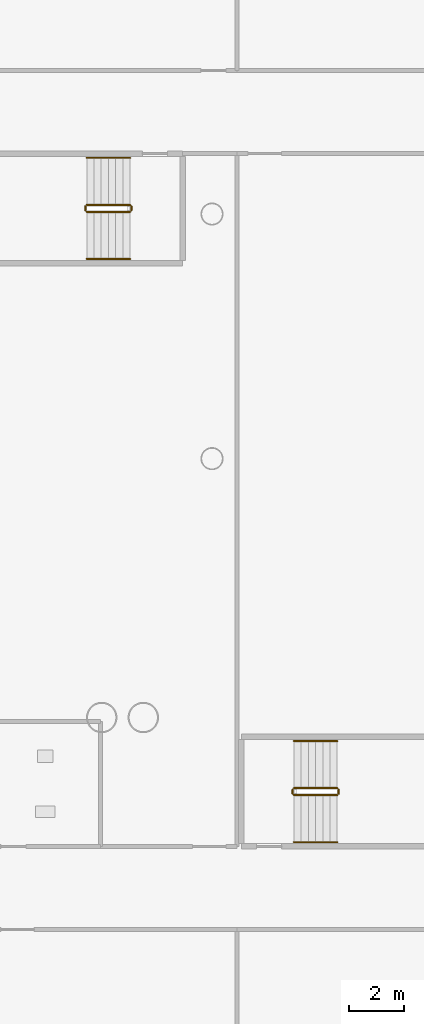
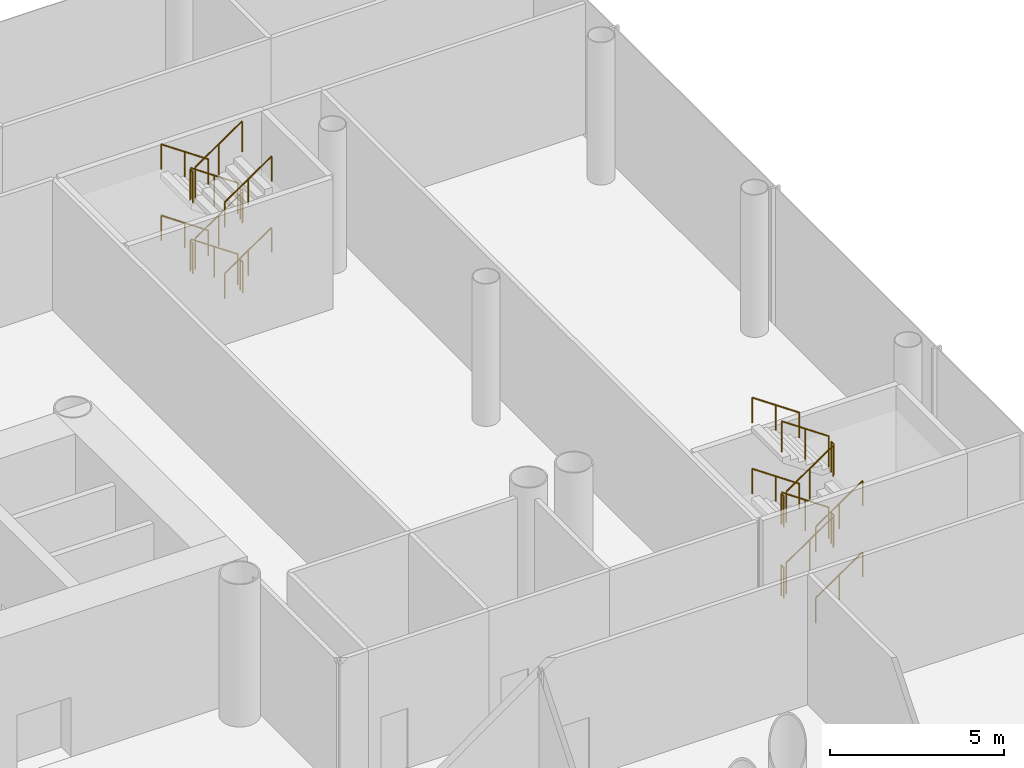
# One storey, part 58 of 59: 24 railings.
"""IFC4 building model written with IfcOpenShell, lengths in metres."""

from ifc_helpers import new_model, si_unit, direction, frame, origin, origin_2d, place, context, subcontext, project, spatial, circle, extrude, material, type_object, element, save


model = new_model("IFC4")

# Units and contexts
model_context = context("Model", 3, precision=1e-05, world=origin(), true_north=direction((0.0, 1.0)))
body_context = subcontext(model_context, "Body", "Model", "MODEL_VIEW")
ifc_project = project(units=[si_unit("LENGTHUNIT", "METRE"), si_unit("AREAUNIT", "SQUARE_METRE"), si_unit("VOLUMEUNIT", "CUBIC_METRE"), si_unit("PLANEANGLEUNIT", "RADIAN"), si_unit("MASSUNIT", "GRAM", prefix="KILO")], contexts=[model_context])

# Site, building, storey
site_placement = place(None, origin())
site = spatial("IfcSite", under=ifc_project, at=site_placement, CompositionType="ELEMENT")
building_placement = place(site_placement, origin())
building = spatial("IfcBuilding", under=site, at=building_placement, Name="Ipe Terrace Towers", CompositionType="ELEMENT")
storey_placement = place(building_placement, frame((0.0, 0.0, 6.0)))
storey = spatial("IfcBuildingStorey", under=building, at=storey_placement, Name="L01", CompositionType="ELEMENT", Elevation=6.0)

# Railings
ifc_material_1 = material(Name="Steel S355", Category="steel")
railing_type_1 = type_object("IfcRailingType", Name="Stair guard 1100", PredefinedType="GUARDRAIL", material=ifc_material_1)
railing_1_placement = place(storey_placement, frame((52.77001953125, 24.64990234375, 0.178466796875)))
element("IfcRailing", 1, at=railing_1_placement, inside=storey, type_object=railing_type_1, Name="L01 PS3 stair guard 1", PredefinedType="GUARDRAIL", context=body_context, shape_type="SweptSolid", body=[
    extrude(circle(Radius=0.02392578125, at=origin_2d()), frame((0.0, 0.0, 1.076171875), z_axis=(-0.82429025813, 0.0, 0.566167440208), x_axis=(0.0, -1.0, 0.0)), (0.0, 0.0, 1.0), 1.892578125),
    extrude(circle(Radius=0.02099609375, at=origin_2d()), origin(), (0.0, 0.0, 1.0), 1.052001953125),
    extrude(circle(Radius=0.02099609375, at=origin_2d()), frame((-0.780029296875, 0.0, 0.53564453125)), (0.0, 0.0, 1.0), 1.052001953125),
    extrude(circle(Radius=0.02099609375, at=origin_2d()), frame((-1.56005859375, 0.0, 1.071533203125)), (0.0, 0.0, 1.0), 1.052001953125),
])
railing_2_placement = place(storey_placement, frame((51.159912109375, 24.60009765625, 1.25)))
element("IfcRailing", 2, at=railing_2_placement, inside=storey, type_object=railing_type_1, Name="L01 PS3 stair guard 2", PredefinedType="GUARDRAIL", context=body_context, shape_type="SweptSolid", body=[
    extrude(circle(Radius=0.02392578125, at=origin_2d()), frame((0.0, 0.0, 1.076171875), z_axis=(0.0, -1.0, 0.0), x_axis=(1.0, 0.0, 0.0)), (0.0, 0.0, 1.0), 0.150146484375),
    extrude(circle(Radius=0.02099609375, at=origin_2d()), origin(), (0.0, 0.0, 1.0), 1.052001953125),
    extrude(circle(Radius=0.02099609375, at=origin_2d()), frame((0.0, -0.150146484375, 0.0)), (0.0, 0.0, 1.0), 1.052001953125),
])
railing_3_placement = place(storey_placement, frame((51.2099609375, 24.39990234375, 1.428466796875)))
element("IfcRailing", 3, at=railing_3_placement, inside=storey, type_object=railing_type_1, Name="L01 PS3 stair guard 3", PredefinedType="GUARDRAIL", context=body_context, shape_type="SweptSolid", body=[
    extrude(circle(Radius=0.02392578125, at=origin_2d()), frame((0.0, 0.0, 1.076171875), z_axis=(0.82429025813, 0.0, 0.566167440208), x_axis=(0.0, 1.0, 0.0)), (0.0, 0.0, 1.0), 1.892578125),
    extrude(circle(Radius=0.02099609375, at=origin_2d()), origin(), (0.0, 0.0, 1.0), 1.052001953125),
    extrude(circle(Radius=0.02099609375, at=origin_2d()), frame((0.780029296875, 0.0, 0.53564453125)), (0.0, 0.0, 1.0), 1.052001953125),
    extrude(circle(Radius=0.02099609375, at=origin_2d()), frame((1.56005859375, 0.0, 1.071533203125)), (0.0, 0.0, 1.0), 1.052001953125),
])
railing_4_placement = place(storey_placement, frame((52.820068359375, 24.60009765625, 2.5)))
element("IfcRailing", 4, at=railing_4_placement, inside=storey, type_object=railing_type_1, Name="L01 PS3 stair guard 4", PredefinedType="GUARDRAIL", context=body_context, shape_type="SweptSolid", body=[
    extrude(circle(Radius=0.02392578125, at=origin_2d()), frame((0.0, 0.0, 1.076171875), z_axis=(0.0, -1.0, 0.0), x_axis=(1.0, 0.0, 0.0)), (0.0, 0.0, 1.0), 0.150146484375),
    extrude(circle(Radius=0.02099609375, at=origin_2d()), origin(), (0.0, 0.0, 1.0), 1.052001953125),
    extrude(circle(Radius=0.02099609375, at=origin_2d()), frame((0.0, -0.150146484375, 0.0)), (0.0, 0.0, 1.0), 1.052001953125),
])
railing_5_placement = place(storey_placement, frame((52.77001953125, 24.64990234375, 2.678466796875)))
element("IfcRailing", 5, at=railing_5_placement, inside=storey, type_object=railing_type_1, Name="L01 PS3 stair guard 5", PredefinedType="GUARDRAIL", context=body_context, shape_type="SweptSolid", body=[
    extrude(circle(Radius=0.02392578125, at=origin_2d()), frame((0.0, 0.0, 1.076171875), z_axis=(-0.82429025813, 0.0, 0.566167440208), x_axis=(0.0, -1.0, 0.0)), (0.0, 0.0, 1.0), 1.892578125),
    extrude(circle(Radius=0.02099609375, at=origin_2d()), origin(), (0.0, 0.0, 1.0), 1.052001953125),
    extrude(circle(Radius=0.02099609375, at=origin_2d()), frame((-0.780029296875, 0.0, 0.53564453125)), (0.0, 0.0, 1.0), 1.052001953125),
    extrude(circle(Radius=0.02099609375, at=origin_2d()), frame((-1.56005859375, 0.0, 1.071533203125)), (0.0, 0.0, 1.0), 1.052001953125),
])
railing_6_placement = place(storey_placement, frame((51.159912109375, 24.60009765625, 3.75)))
element("IfcRailing", 6, at=railing_6_placement, inside=storey, type_object=railing_type_1, Name="L01 PS3 stair guard 6", PredefinedType="GUARDRAIL", context=body_context, shape_type="SweptSolid", body=[
    extrude(circle(Radius=0.02392578125, at=origin_2d()), frame((0.0, 0.0, 1.076171875), z_axis=(0.0, -1.0, 0.0), x_axis=(1.0, 0.0, 0.0)), (0.0, 0.0, 1.0), 0.150146484375),
    extrude(circle(Radius=0.02099609375, at=origin_2d()), origin(), (0.0, 0.0, 1.0), 1.052001953125),
    extrude(circle(Radius=0.02099609375, at=origin_2d()), frame((0.0, -0.150146484375, 0.0)), (0.0, 0.0, 1.0), 1.052001953125),
])
railing_7_placement = place(storey_placement, frame((51.2099609375, 24.39990234375, 3.928466796875)))
element("IfcRailing", 7, at=railing_7_placement, inside=storey, type_object=railing_type_1, Name="L01 PS3 stair guard 7", PredefinedType="GUARDRAIL", context=body_context, shape_type="SweptSolid", body=[
    extrude(circle(Radius=0.02392578125, at=origin_2d()), frame((0.0, 0.0, 1.076171875), z_axis=(0.82429025813, 0.0, 0.566167440208), x_axis=(0.0, 1.0, 0.0)), (0.0, 0.0, 1.0), 1.892578125),
    extrude(circle(Radius=0.02099609375, at=origin_2d()), origin(), (0.0, 0.0, 1.0), 1.052001953125),
    extrude(circle(Radius=0.02099609375, at=origin_2d()), frame((0.780029296875, 0.0, 0.53564453125)), (0.0, 0.0, 1.0), 1.052001953125),
    extrude(circle(Radius=0.02099609375, at=origin_2d()), frame((1.56005859375, 0.0, 1.071533203125)), (0.0, 0.0, 1.0), 1.052001953125),
])
railing_8_placement = place(storey_placement, frame((52.820068359375, 24.60009765625, 0.0)))
element("IfcRailing", 8, at=railing_8_placement, inside=storey, type_object=railing_type_1, Name="L01 PS3 stair guard 8", PredefinedType="GUARDRAIL", context=body_context, shape_type="SweptSolid", body=[
    extrude(circle(Radius=0.02392578125, at=origin_2d()), frame((0.0, 0.0, 1.076171875), z_axis=(0.0, -1.0, 0.0), x_axis=(1.0, 0.0, 0.0)), (0.0, 0.0, 1.0), 0.150146484375),
    extrude(circle(Radius=0.02099609375, at=origin_2d()), origin(), (0.0, 0.0, 1.0), 1.052001953125),
    extrude(circle(Radius=0.02099609375, at=origin_2d()), frame((0.0, -0.150146484375, 0.0)), (0.0, 0.0, 1.0), 1.052001953125),
])
railing_9_placement = place(storey_placement, frame((58.68994140625, 3.35009765625, 0.178466796875)))
element("IfcRailing", 9, at=railing_9_placement, inside=storey, type_object=railing_type_1, Name="L01 PS8 stair guard 1", PredefinedType="GUARDRAIL", context=body_context, shape_type="SweptSolid", body=[
    extrude(circle(Radius=0.02392578125, at=origin_2d()), frame((0.0, 0.0, 1.076171875), z_axis=(0.82429025813, 0.0, 0.566167440208), x_axis=(0.0, 1.0, 0.0)), (0.0, 0.0, 1.0), 1.892578125),
    extrude(circle(Radius=0.02099609375, at=origin_2d()), origin(), (0.0, 0.0, 1.0), 1.052001953125),
    extrude(circle(Radius=0.02099609375, at=origin_2d()), frame((0.780029296875, 0.0, 0.53564453125)), (0.0, 0.0, 1.0), 1.052001953125),
    extrude(circle(Radius=0.02099609375, at=origin_2d()), frame((1.56005859375, 0.0, 1.071533203125)), (0.0, 0.0, 1.0), 1.052001953125),
])
railing_10_placement = place(storey_placement, frame((60.300048828125, 3.39990234375, 1.25)))
element("IfcRailing", 10, at=railing_10_placement, inside=storey, type_object=railing_type_1, Name="L01 PS8 stair guard 2", PredefinedType="GUARDRAIL", context=body_context, shape_type="SweptSolid", body=[
    extrude(circle(Radius=0.02392578125, at=origin_2d()), frame((0.0, 0.0, 1.076171875), z_axis=(0.0, 1.0, 0.0), x_axis=(-1.0, 0.0, 0.0)), (0.0, 0.0, 1.0), 0.150146484375),
    extrude(circle(Radius=0.02099609375, at=origin_2d()), origin(), (0.0, 0.0, 1.0), 1.052001953125),
    extrude(circle(Radius=0.02099609375, at=origin_2d()), frame((0.0, 0.150146484375, 0.0)), (0.0, 0.0, 1.0), 1.052001953125),
])
railing_11_placement = place(storey_placement, frame((60.25, 3.60009765625, 1.428466796875)))
element("IfcRailing", 11, at=railing_11_placement, inside=storey, type_object=railing_type_1, Name="L01 PS8 stair guard 3", PredefinedType="GUARDRAIL", context=body_context, shape_type="SweptSolid", body=[
    extrude(circle(Radius=0.02392578125, at=origin_2d()), frame((0.0, 0.0, 1.076171875), z_axis=(-0.82429025813, 0.0, 0.566167440208), x_axis=(0.0, -1.0, 0.0)), (0.0, 0.0, 1.0), 1.892578125),
    extrude(circle(Radius=0.02099609375, at=origin_2d()), origin(), (0.0, 0.0, 1.0), 1.052001953125),
    extrude(circle(Radius=0.02099609375, at=origin_2d()), frame((-0.780029296875, 0.0, 0.53564453125)), (0.0, 0.0, 1.0), 1.052001953125),
    extrude(circle(Radius=0.02099609375, at=origin_2d()), frame((-1.56005859375, 0.0, 1.071533203125)), (0.0, 0.0, 1.0), 1.052001953125),
])
railing_12_placement = place(storey_placement, frame((58.639892578125, 3.39990234375, 2.5)))
element("IfcRailing", 12, at=railing_12_placement, inside=storey, type_object=railing_type_1, Name="L01 PS8 stair guard 4", PredefinedType="GUARDRAIL", context=body_context, shape_type="SweptSolid", body=[
    extrude(circle(Radius=0.02392578125, at=origin_2d()), frame((0.0, 0.0, 1.076171875), z_axis=(0.0, 1.0, 0.0), x_axis=(-1.0, 0.0, 0.0)), (0.0, 0.0, 1.0), 0.150146484375),
    extrude(circle(Radius=0.02099609375, at=origin_2d()), origin(), (0.0, 0.0, 1.0), 1.052001953125),
    extrude(circle(Radius=0.02099609375, at=origin_2d()), frame((0.0, 0.150146484375, 0.0)), (0.0, 0.0, 1.0), 1.052001953125),
])
railing_13_placement = place(storey_placement, frame((58.68994140625, 3.35009765625, 2.678466796875)))
element("IfcRailing", 13, at=railing_13_placement, inside=storey, type_object=railing_type_1, Name="L01 PS8 stair guard 5", PredefinedType="GUARDRAIL", context=body_context, shape_type="SweptSolid", body=[
    extrude(circle(Radius=0.02392578125, at=origin_2d()), frame((0.0, 0.0, 1.076171875), z_axis=(0.82429025813, 0.0, 0.566167440208), x_axis=(0.0, 1.0, 0.0)), (0.0, 0.0, 1.0), 1.892578125),
    extrude(circle(Radius=0.02099609375, at=origin_2d()), origin(), (0.0, 0.0, 1.0), 1.052001953125),
    extrude(circle(Radius=0.02099609375, at=origin_2d()), frame((0.780029296875, 0.0, 0.53564453125)), (0.0, 0.0, 1.0), 1.052001953125),
    extrude(circle(Radius=0.02099609375, at=origin_2d()), frame((1.56005859375, 0.0, 1.071533203125)), (0.0, 0.0, 1.0), 1.052001953125),
])
railing_14_placement = place(storey_placement, frame((60.300048828125, 3.39990234375, 3.75)))
element("IfcRailing", 14, at=railing_14_placement, inside=storey, type_object=railing_type_1, Name="L01 PS8 stair guard 6", PredefinedType="GUARDRAIL", context=body_context, shape_type="SweptSolid", body=[
    extrude(circle(Radius=0.02392578125, at=origin_2d()), frame((0.0, 0.0, 1.076171875), z_axis=(0.0, 1.0, 0.0), x_axis=(-1.0, 0.0, 0.0)), (0.0, 0.0, 1.0), 0.150146484375),
    extrude(circle(Radius=0.02099609375, at=origin_2d()), origin(), (0.0, 0.0, 1.0), 1.052001953125),
    extrude(circle(Radius=0.02099609375, at=origin_2d()), frame((0.0, 0.150146484375, 0.0)), (0.0, 0.0, 1.0), 1.052001953125),
])
railing_15_placement = place(storey_placement, frame((60.25, 3.60009765625, 3.928466796875)))
element("IfcRailing", 15, at=railing_15_placement, inside=storey, type_object=railing_type_1, Name="L01 PS8 stair guard 7", PredefinedType="GUARDRAIL", context=body_context, shape_type="SweptSolid", body=[
    extrude(circle(Radius=0.02392578125, at=origin_2d()), frame((0.0, 0.0, 1.076171875), z_axis=(-0.82429025813, 0.0, 0.566167440208), x_axis=(0.0, -1.0, 0.0)), (0.0, 0.0, 1.0), 1.892578125),
    extrude(circle(Radius=0.02099609375, at=origin_2d()), origin(), (0.0, 0.0, 1.0), 1.052001953125),
    extrude(circle(Radius=0.02099609375, at=origin_2d()), frame((-0.780029296875, 0.0, 0.53564453125)), (0.0, 0.0, 1.0), 1.052001953125),
    extrude(circle(Radius=0.02099609375, at=origin_2d()), frame((-1.56005859375, 0.0, 1.071533203125)), (0.0, 0.0, 1.0), 1.052001953125),
])
railing_16_placement = place(storey_placement, frame((58.639892578125, 3.39990234375, 0.0)))
element("IfcRailing", 16, at=railing_16_placement, inside=storey, type_object=railing_type_1, Name="L01 PS8 stair guard 8", PredefinedType="GUARDRAIL", context=body_context, shape_type="SweptSolid", body=[
    extrude(circle(Radius=0.02392578125, at=origin_2d()), frame((0.0, 0.0, 1.076171875), z_axis=(0.0, 1.0, 0.0), x_axis=(-1.0, 0.0, 0.0)), (0.0, 0.0, 1.0), 0.150146484375),
    extrude(circle(Radius=0.02099609375, at=origin_2d()), origin(), (0.0, 0.0, 1.0), 1.052001953125),
    extrude(circle(Radius=0.02099609375, at=origin_2d()), frame((0.0, 0.150146484375, 0.0)), (0.0, 0.0, 1.0), 1.052001953125),
])
ifc_material_2 = material(Name="Stainless steel grade 304", Category="steel")
railing_type_2 = type_object("IfcRailingType", Name="Stair handrail 900", PredefinedType="HANDRAIL", material=ifc_material_2)
railing_17_placement = place(storey_placement, frame((52.77001953125, 26.35009765625, 0.178466796875)))
element("IfcRailing", 17, at=railing_17_placement, inside=storey, type_object=railing_type_2, Name="L01 PS3 stair handrail 1", PredefinedType="HANDRAIL", context=body_context, shape_type="SweptSolid", body=[
    extrude(circle(Radius=0.02392578125, at=origin_2d()), frame((0.0, 0.0, 0.8759765625), z_axis=(-0.82429025813, 0.0, 0.566167440208), x_axis=(0.0, -1.0, 0.0)), (0.0, 0.0, 1.0), 1.892578125),
    extrude(circle(Radius=0.02099609375, at=origin_2d()), origin(), (0.0, 0.0, 1.0), 0.851806640625),
    extrude(circle(Radius=0.02099609375, at=origin_2d()), frame((-0.780029296875, 0.0, 0.53564453125)), (0.0, 0.0, 1.0), 0.851806640625),
    extrude(circle(Radius=0.02099609375, at=origin_2d()), frame((-1.56005859375, 0.0, 1.071533203125)), (0.0, 0.0, 1.0), 0.851806640625),
])
railing_18_placement = place(storey_placement, frame((51.2099609375, 22.699951171875, 1.428466796875)))
element("IfcRailing", 18, at=railing_18_placement, inside=storey, type_object=railing_type_2, Name="L01 PS3 stair handrail 2", PredefinedType="HANDRAIL", context=body_context, shape_type="SweptSolid", body=[
    extrude(circle(Radius=0.02392578125, at=origin_2d()), frame((0.0, 0.0, 0.8759765625), z_axis=(0.82429025813, 0.0, 0.566167440208), x_axis=(0.0, 1.0, 0.0)), (0.0, 0.0, 1.0), 1.892578125),
    extrude(circle(Radius=0.02099609375, at=origin_2d()), origin(), (0.0, 0.0, 1.0), 0.851806640625),
    extrude(circle(Radius=0.02099609375, at=origin_2d()), frame((0.780029296875, 0.0, 0.53564453125)), (0.0, 0.0, 1.0), 0.851806640625),
    extrude(circle(Radius=0.02099609375, at=origin_2d()), frame((1.56005859375, 0.0, 1.071533203125)), (0.0, 0.0, 1.0), 0.851806640625),
])
railing_19_placement = place(storey_placement, frame((52.77001953125, 26.35009765625, 2.678466796875)))
element("IfcRailing", 19, at=railing_19_placement, inside=storey, type_object=railing_type_2, Name="L01 PS3 stair handrail 3", PredefinedType="HANDRAIL", context=body_context, shape_type="SweptSolid", body=[
    extrude(circle(Radius=0.02392578125, at=origin_2d()), frame((0.0, 0.0, 0.8759765625), z_axis=(-0.82429025813, 0.0, 0.566167440208), x_axis=(0.0, -1.0, 0.0)), (0.0, 0.0, 1.0), 1.892578125),
    extrude(circle(Radius=0.02099609375, at=origin_2d()), origin(), (0.0, 0.0, 1.0), 0.851806640625),
    extrude(circle(Radius=0.02099609375, at=origin_2d()), frame((-0.780029296875, 0.0, 0.53564453125)), (0.0, 0.0, 1.0), 0.851806640625),
    extrude(circle(Radius=0.02099609375, at=origin_2d()), frame((-1.56005859375, 0.0, 1.071533203125)), (0.0, 0.0, 1.0), 0.851806640625),
])
for number, where, name in (
    (20, (51.2099609375, 22.699951171875, 3.928466796875), "L01 PS3 stair handrail 4"),
    (21, (58.68994140625, 1.64990234375, 0.178466796875), "L01 PS8 stair handrail 1"),
):
    element("IfcRailing", number, at=place(storey_placement, frame(where)), inside=storey, type_object=railing_type_2, Name=name, PredefinedType="HANDRAIL", context=body_context, shape_type="SweptSolid", body=[
        extrude(circle(Radius=0.02392578125, at=origin_2d()), frame((0.0, 0.0, 0.8759765625), z_axis=(0.82429025813, 0.0, 0.566167440208), x_axis=(0.0, 1.0, 0.0)), (0.0, 0.0, 1.0), 1.892578125),
        extrude(circle(Radius=0.02099609375, at=origin_2d()), origin(), (0.0, 0.0, 1.0), 0.851806640625),
        extrude(circle(Radius=0.02099609375, at=origin_2d()), frame((0.780029296875, 0.0, 0.53564453125)), (0.0, 0.0, 1.0), 0.851806640625),
        extrude(circle(Radius=0.02099609375, at=origin_2d()), frame((1.56005859375, 0.0, 1.071533203125)), (0.0, 0.0, 1.0), 0.851806640625),
    ])
railing_20_placement = place(storey_placement, frame((60.25, 5.300048828125, 1.428466796875)))
element("IfcRailing", 22, at=railing_20_placement, inside=storey, type_object=railing_type_2, Name="L01 PS8 stair handrail 2", PredefinedType="HANDRAIL", context=body_context, shape_type="SweptSolid", body=[
    extrude(circle(Radius=0.02392578125, at=origin_2d()), frame((0.0, 0.0, 0.8759765625), z_axis=(-0.82429025813, 0.0, 0.566167440208), x_axis=(0.0, -1.0, 0.0)), (0.0, 0.0, 1.0), 1.892578125),
    extrude(circle(Radius=0.02099609375, at=origin_2d()), origin(), (0.0, 0.0, 1.0), 0.851806640625),
    extrude(circle(Radius=0.02099609375, at=origin_2d()), frame((-0.780029296875, 0.0, 0.53564453125)), (0.0, 0.0, 1.0), 0.851806640625),
    extrude(circle(Radius=0.02099609375, at=origin_2d()), frame((-1.56005859375, 0.0, 1.071533203125)), (0.0, 0.0, 1.0), 0.851806640625),
])
railing_21_placement = place(storey_placement, frame((58.68994140625, 1.64990234375, 2.678466796875)))
element("IfcRailing", 23, at=railing_21_placement, inside=storey, type_object=railing_type_2, Name="L01 PS8 stair handrail 3", PredefinedType="HANDRAIL", context=body_context, shape_type="SweptSolid", body=[
    extrude(circle(Radius=0.02392578125, at=origin_2d()), frame((0.0, 0.0, 0.8759765625), z_axis=(0.82429025813, 0.0, 0.566167440208), x_axis=(0.0, 1.0, 0.0)), (0.0, 0.0, 1.0), 1.892578125),
    extrude(circle(Radius=0.02099609375, at=origin_2d()), origin(), (0.0, 0.0, 1.0), 0.851806640625),
    extrude(circle(Radius=0.02099609375, at=origin_2d()), frame((0.780029296875, 0.0, 0.53564453125)), (0.0, 0.0, 1.0), 0.851806640625),
    extrude(circle(Radius=0.02099609375, at=origin_2d()), frame((1.56005859375, 0.0, 1.071533203125)), (0.0, 0.0, 1.0), 0.851806640625),
])
railing_22_placement = place(storey_placement, frame((60.25, 5.300048828125, 3.928466796875)))
element("IfcRailing", 24, at=railing_22_placement, inside=storey, type_object=railing_type_2, Name="L01 PS8 stair handrail 4", PredefinedType="HANDRAIL", context=body_context, shape_type="SweptSolid", body=[
    extrude(circle(Radius=0.02392578125, at=origin_2d()), frame((0.0, 0.0, 0.8759765625), z_axis=(-0.82429025813, 0.0, 0.566167440208), x_axis=(0.0, -1.0, 0.0)), (0.0, 0.0, 1.0), 1.892578125),
    extrude(circle(Radius=0.02099609375, at=origin_2d()), origin(), (0.0, 0.0, 1.0), 0.851806640625),
    extrude(circle(Radius=0.02099609375, at=origin_2d()), frame((-0.780029296875, 0.0, 0.53564453125)), (0.0, 0.0, 1.0), 0.851806640625),
    extrude(circle(Radius=0.02099609375, at=origin_2d()), frame((-1.56005859375, 0.0, 1.071533203125)), (0.0, 0.0, 1.0), 0.851806640625),
])

save(model, "model.ifc")
